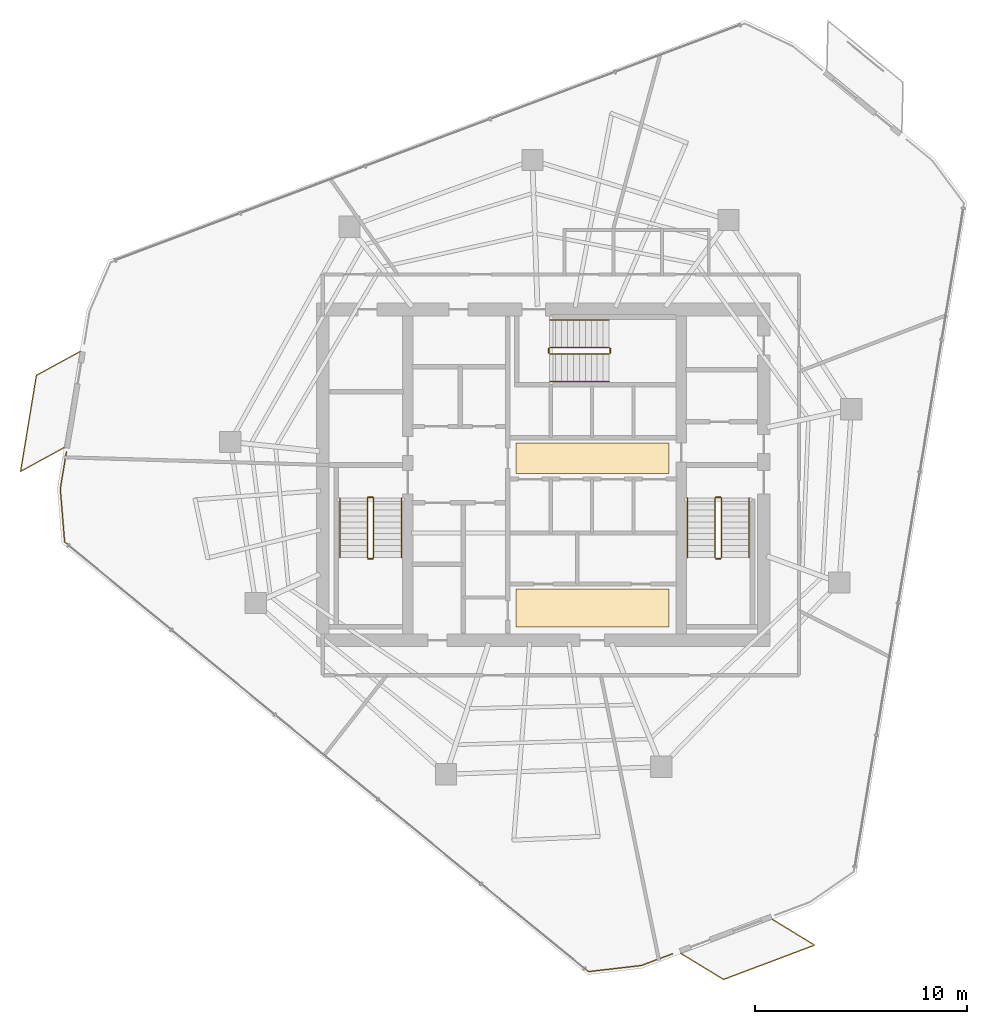
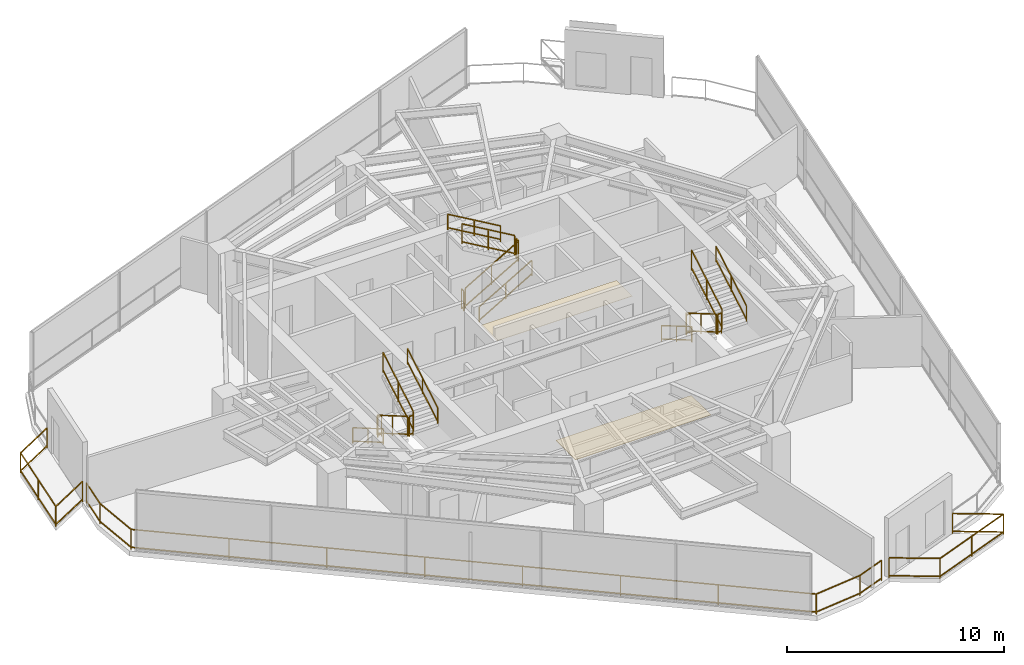
# One storey, part 18 of 19: 21 railings, 2 coverings.
"""IFC4 building model written with IfcOpenShell, lengths in metres."""

from ifc_helpers import new_model, si_unit, direction, frame, origin, origin_2d, place, context, subcontext, project, spatial, rectangle, extrude, material, layer, layer_set, type_object, element, save


model = new_model("IFC4")

# Units and contexts
model_context = context("Model", 3, precision=1e-05, world=origin(), true_north=direction((0.0, 1.0)))
body_context = subcontext(model_context, "Body", "Model", "MODEL_VIEW")
ifc_project = project(units=[si_unit("LENGTHUNIT", "METRE"), si_unit("AREAUNIT", "SQUARE_METRE"), si_unit("VOLUMEUNIT", "CUBIC_METRE"), si_unit("PLANEANGLEUNIT", "RADIAN"), si_unit("MASSUNIT", "GRAM", prefix="KILO")], contexts=[model_context])

# Site, building, storey
site_placement = place(None, origin())
site = spatial("IfcSite", under=ifc_project, at=site_placement, CompositionType="ELEMENT")
building_placement = place(site_placement, origin())
building = spatial("IfcBuilding", under=site, at=building_placement, Name="Qarnah Convention Tower", CompositionType="ELEMENT")
storey_placement = place(building_placement, frame((0.0, 0.0, 143.699951171875)))
storey = spatial("IfcBuildingStorey", under=building, at=storey_placement, Name="L38", CompositionType="ELEMENT", Elevation=143.699951171875)

# Coverings
ifc_material_1 = material(Name="Mineral fibre acoustic ceiling")
ifc_layer_1 = layer(ifc_material_1, 0.02001953125)
ifc_layer_set_1 = layer_set([ifc_layer_1], Name="Mineral fibre acoustic ceiling")
covering_type_1 = type_object("IfcCoveringType", Name="COV-CEIL-20", PredefinedType="CEILING", material=ifc_layer_set_1)
covering_1_placement = place(storey_placement, frame((39.52001953125, 27.179931640625, 2.2900390625), z_axis=(0.0, 0.0, 1.0), x_axis=(1.0, 0.0, 0.0)))
element("IfcCovering", 1, at=covering_1_placement, inside=storey, type_object=covering_type_1, Name="L38 lift lobby acoustic ceiling", PredefinedType="CEILING", context=body_context, shape_type="SweptSolid", body=[
    extrude(rectangle(XDim=7.199951171875, YDim=1.449951171875, at=origin_2d()), origin(), (0.0, 0.0, 1.0), 0.02001953125),
])
ifc_material_2 = material(Name="Porcelain stone floor tile", Category="masonry")
ifc_layer_2 = layer(ifc_material_2, 0.02001953125)
ifc_layer_set_2 = layer_set([ifc_layer_2], Name="Porcelain stone floor tile")
covering_type_2 = type_object("IfcCoveringType", Name="COV-FLOOR-20", PredefinedType="FLOORING", material=ifc_layer_set_2)
covering_2_placement = place(storey_placement, frame((39.52001953125, 20.1201171875, 0.0), z_axis=(0.0, 0.0, 1.0), x_axis=(1.0, 0.0, 0.0)))
element("IfcCovering", 2, at=covering_2_placement, inside=storey, type_object=covering_type_2, Name="L38 lift lobby porcelain stone flooring", PredefinedType="FLOORING", context=body_context, shape_type="SweptSolid", body=[
    extrude(rectangle(XDim=7.199951171875, YDim=1.800048828125, at=origin_2d()), origin(), (0.0, 0.0, 1.0), 0.02001953125),
])

# Railings
ifc_material_3 = material(Name="Black anodised aluminium", Category="aluminium")
railing_type_1 = type_object("IfcRailingType", Name="RL-EXT-GUARD-1150", PredefinedType="GUARDRAIL", material=ifc_material_3)
railing_1_placement = place(storey_placement, frame((43.284912109375, 3.80908203125, 0.0)))
element("IfcRailing", 3, at=railing_1_placement, inside=storey, type_object=railing_type_1, Name="L38 slab-edge perimeter safety guard 03", PredefinedType="GUARDRAIL", context=body_context, shape_type="SweptSolid", body=[
    extrude(rectangle(XDim=0.048095703125, YDim=0.048095703125, at=origin_2d()), frame((0.0, 0.0, 1.1259765625), z_axis=(-0.935838834934, -0.352428255152, 0.0), x_axis=(0.352428255152, -0.935838834934, 0.0)), (0.0, 0.0, 1.0), 1.557861328125),
    extrude(rectangle(XDim=0.048095703125, YDim=0.048095703125, at=origin_2d()), frame((0.0, 0.0, 0.1201171875), z_axis=(-0.935838834934, -0.352428255152, 0.0), x_axis=(0.352428255152, -0.935838834934, 0.0)), (0.0, 0.0, 1.0), 1.557861328125),
    extrude(rectangle(XDim=0.048095703125, YDim=0.048095703125, at=origin_2d()), frame((-1.4580078125, -0.549072265625, 1.1259765625), z_axis=(-0.99329985139, -0.115565588429, 0.0), x_axis=(0.115565588429, -0.99329985139, 0.0)), (0.0, 0.0, 1.0), 2.509765625),
    extrude(rectangle(XDim=0.048095703125, YDim=0.048095703125, at=origin_2d()), frame((-1.4580078125, -0.549072265625, 0.1201171875), z_axis=(-0.99329985139, -0.115565588429, 0.0), x_axis=(0.115565588429, -0.99329985139, 0.0)), (0.0, 0.0, 1.0), 2.509765625),
    extrude(rectangle(XDim=0.048095703125, YDim=0.048095703125, at=origin_2d()), frame((-3.950927734375, -0.839111328125, 1.1259765625), z_axis=(-0.773174595758, 0.634193223295, 0.0), x_axis=(-0.634193223295, -0.773174595758, 0.0)), (0.0, 0.0, 1.0), 31.96044921875),
    extrude(rectangle(XDim=0.048095703125, YDim=0.048095703125, at=origin_2d()), frame((-3.950927734375, -0.839111328125, 0.1201171875), z_axis=(-0.773174595758, 0.634193223295, 0.0), x_axis=(-0.634193223295, -0.773174595758, 0.0)), (0.0, 0.0, 1.0), 31.96044921875),
    extrude(rectangle(XDim=0.048095703125, YDim=0.048095703125, at=origin_2d()), frame((-28.661865234375, 19.429931640625, 1.1259765625), z_axis=(-0.080951717687, 0.996718024019, 0.0), x_axis=(-0.996718024019, -0.080951717687, 0.0)), (0.0, 0.0, 1.0), 2.50927734375),
    extrude(rectangle(XDim=0.048095703125, YDim=0.048095703125, at=origin_2d()), frame((-28.661865234375, 19.429931640625, 0.1201171875), z_axis=(-0.080951717687, 0.996718024019, 0.0), x_axis=(-0.996718024019, -0.080951717687, 0.0)), (0.0, 0.0, 1.0), 2.50927734375),
    extrude(rectangle(XDim=0.048095703125, YDim=0.048095703125, at=origin_2d()), frame((-28.864990234375, 21.930908203125, 1.1259765625), z_axis=(0.162788039011, 0.986661063565, 0.0), x_axis=(-0.986661063565, 0.162788039011, 0.0)), (0.0, 0.0, 1.0), 1.769775390625),
    extrude(rectangle(XDim=0.048095703125, YDim=0.048095703125, at=origin_2d()), frame((-28.864990234375, 21.930908203125, 0.1201171875), z_axis=(0.162788039011, 0.986661063565, 0.0), x_axis=(-0.986661063565, 0.162788039011, 0.0)), (0.0, 0.0, 1.0), 1.769775390625),
    extrude(rectangle(XDim=0.0419921875, YDim=0.0419921875, at=origin_2d()), origin(), (0.0, 0.0, 1.0), 1.101806640625),
    extrude(rectangle(XDim=0.0419921875, YDim=0.0419921875, at=origin_2d()), frame((-1.4580078125, -0.549072265625, 0.0)), (0.0, 0.0, 1.0), 1.101806640625),
    extrude(rectangle(XDim=0.0419921875, YDim=0.0419921875, at=origin_2d()), frame((-3.950927734375, -0.839111328125, 0.0)), (0.0, 0.0, 1.0), 1.101806640625),
    extrude(rectangle(XDim=0.0419921875, YDim=0.0419921875, at=origin_2d()), frame((-7.48095703125, 2.056396484375, 0.0)), (0.0, 0.0, 1.0), 1.101806640625),
    extrude(rectangle(XDim=0.0419921875, YDim=0.0419921875, at=origin_2d()), frame((-11.01123046875, 4.9521484375, 0.0)), (0.0, 0.0, 1.0), 1.101806640625),
    extrude(rectangle(XDim=0.0419921875, YDim=0.0419921875, at=origin_2d()), frame((-14.541259765625, 7.84765625, 0.0)), (0.0, 0.0, 1.0), 1.101806640625),
    extrude(rectangle(XDim=0.0419921875, YDim=0.0419921875, at=origin_2d()), frame((-18.071533203125, 10.7431640625, 0.0)), (0.0, 0.0, 1.0), 1.101806640625),
    extrude(rectangle(XDim=0.0419921875, YDim=0.0419921875, at=origin_2d()), frame((-21.6015625, 13.638671875, 0.0)), (0.0, 0.0, 1.0), 1.101806640625),
    extrude(rectangle(XDim=0.0419921875, YDim=0.0419921875, at=origin_2d()), frame((-25.1318359375, 16.534423828125, 0.0)), (0.0, 0.0, 1.0), 1.101806640625),
    extrude(rectangle(XDim=0.0419921875, YDim=0.0419921875, at=origin_2d()), frame((-28.661865234375, 19.429931640625, 0.0)), (0.0, 0.0, 1.0), 1.101806640625),
    extrude(rectangle(XDim=0.0419921875, YDim=0.0419921875, at=origin_2d()), frame((-28.864990234375, 21.930908203125, 0.0)), (0.0, 0.0, 1.0), 1.101806640625),
    extrude(rectangle(XDim=0.0419921875, YDim=0.0419921875, at=origin_2d()), frame((-28.576904296875, 23.677001953125, 0.0)), (0.0, 0.0, 1.0), 1.101806640625),
])
railing_2_placement = place(storey_placement, frame((14.60205078125, 27.678955078125, 0.0)))
element("IfcRailing", 4, at=railing_2_placement, inside=storey, type_object=railing_type_1, Name="L38 balcony safety guard BAL-L38-C2", PredefinedType="GUARDRAIL", context=body_context, shape_type="SweptSolid", body=[
    extrude(rectangle(XDim=0.048095703125, YDim=0.048095703125, at=origin_2d()), frame((0.0, 0.0, 1.1259765625), z_axis=(-0.877656964164, -0.479289321032, 0.0), x_axis=(0.479289321032, -0.877656964164, 0.0)), (0.0, 0.0, 1.0), 2.34716796875),
    extrude(rectangle(XDim=0.048095703125, YDim=0.048095703125, at=origin_2d()), frame((0.0, 0.0, 0.1201171875), z_axis=(-0.877656964164, -0.479289321032, 0.0), x_axis=(0.479289321032, -0.877656964164, 0.0)), (0.0, 0.0, 1.0), 2.34716796875),
    extrude(rectangle(XDim=0.048095703125, YDim=0.048095703125, at=origin_2d()), frame((-2.06005859375, -1.125, 1.1259765625), z_axis=(0.162608655886, 0.986690643024, 0.0), x_axis=(-0.986690643024, 0.162608655886, 0.0)), (0.0, 0.0, 1.0), 4.600341796875),
    extrude(rectangle(XDim=0.048095703125, YDim=0.048095703125, at=origin_2d()), frame((-2.06005859375, -1.125, 0.1201171875), z_axis=(0.162608655886, 0.986690643024, 0.0), x_axis=(-0.986690643024, 0.162608655886, 0.0)), (0.0, 0.0, 1.0), 4.600341796875),
    extrude(rectangle(XDim=0.048095703125, YDim=0.048095703125, at=origin_2d()), frame((-1.31201171875, 3.4140625, 1.1259765625), z_axis=(0.877752486063, 0.479114363395, 0.0), x_axis=(-0.479114363395, 0.877752486063, 0.0)), (0.0, 0.0, 1.0), 2.34814453125),
    extrude(rectangle(XDim=0.048095703125, YDim=0.048095703125, at=origin_2d()), frame((-1.31201171875, 3.4140625, 0.1201171875), z_axis=(0.877752486063, 0.479114363395, 0.0), x_axis=(-0.479114363395, 0.877752486063, 0.0)), (0.0, 0.0, 1.0), 2.34814453125),
    extrude(rectangle(XDim=0.0419921875, YDim=0.0419921875, at=origin_2d()), origin(), (0.0, 0.0, 1.0), 1.101806640625),
    extrude(rectangle(XDim=0.0419921875, YDim=0.0419921875, at=origin_2d()), frame((-2.06005859375, -1.125, 0.0)), (0.0, 0.0, 1.0), 1.101806640625),
    extrude(rectangle(XDim=0.0419921875, YDim=0.0419921875, at=origin_2d()), frame((-1.68603515625, 1.14453125, 0.0)), (0.0, 0.0, 1.0), 1.101806640625),
    extrude(rectangle(XDim=0.0419921875, YDim=0.0419921875, at=origin_2d()), frame((-1.31201171875, 3.4140625, 0.0)), (0.0, 0.0, 1.0), 1.101806640625),
    extrude(rectangle(XDim=0.0419921875, YDim=0.0419921875, at=origin_2d()), frame((0.7490234375, 4.5390625, 0.0)), (0.0, 0.0, 1.0), 1.101806640625),
])
railing_3_placement = place(storey_placement, frame((47.998046875, 5.43994140625, 0.0)))
element("IfcRailing", 5, at=railing_3_placement, inside=storey, type_object=railing_type_1, Name="L38 balcony safety guard BAL-L38-C3", PredefinedType="GUARDRAIL", context=body_context, shape_type="SweptSolid", body=[
    extrude(rectangle(XDim=0.048095703125, YDim=0.048095703125, at=origin_2d()), frame((0.0, 0.0, 1.1259765625), z_axis=(0.853790537229, -0.520616671398, 0.0), x_axis=(0.520616671398, 0.853790537229, 0.0)), (0.0, 0.0, 1.0), 2.34716796875),
    extrude(rectangle(XDim=0.048095703125, YDim=0.048095703125, at=origin_2d()), frame((0.0, 0.0, 0.1201171875), z_axis=(0.853790537229, -0.520616671398, 0.0), x_axis=(0.520616671398, 0.853790537229, 0.0)), (0.0, 0.0, 1.0), 2.34716796875),
    extrude(rectangle(XDim=0.048095703125, YDim=0.048095703125, at=origin_2d()), frame((2.00390625, -1.221923828125, 1.1259765625), z_axis=(-0.935819897861, -0.352478536604, 0.0), x_axis=(0.352478536604, -0.935819897861, 0.0)), (0.0, 0.0, 1.0), 4.59912109375),
    extrude(rectangle(XDim=0.048095703125, YDim=0.048095703125, at=origin_2d()), frame((2.00390625, -1.221923828125, 0.1201171875), z_axis=(-0.935819897861, -0.352478536604, 0.0), x_axis=(0.352478536604, -0.935819897861, 0.0)), (0.0, 0.0, 1.0), 4.59912109375),
    extrude(rectangle(XDim=0.048095703125, YDim=0.048095703125, at=origin_2d()), frame((-2.300048828125, -2.843017578125, 1.1259765625), z_axis=(-0.854041872456, 0.52020426766, 0.0), x_axis=(-0.52020426766, -0.854041872456, 0.0)), (0.0, 0.0, 1.0), 2.347412109375),
    extrude(rectangle(XDim=0.048095703125, YDim=0.048095703125, at=origin_2d()), frame((-2.300048828125, -2.843017578125, 0.1201171875), z_axis=(-0.854041872456, 0.52020426766, 0.0), x_axis=(-0.52020426766, -0.854041872456, 0.0)), (0.0, 0.0, 1.0), 2.347412109375),
    extrude(rectangle(XDim=0.0419921875, YDim=0.0419921875, at=origin_2d()), origin(), (0.0, 0.0, 1.0), 1.101806640625),
    extrude(rectangle(XDim=0.0419921875, YDim=0.0419921875, at=origin_2d()), frame((2.00390625, -1.221923828125, 0.0)), (0.0, 0.0, 1.0), 1.101806640625),
    extrude(rectangle(XDim=0.0419921875, YDim=0.0419921875, at=origin_2d()), frame((-0.14794921875, -2.032470703125, 0.0)), (0.0, 0.0, 1.0), 1.101806640625),
    extrude(rectangle(XDim=0.0419921875, YDim=0.0419921875, at=origin_2d()), frame((-2.300048828125, -2.843017578125, 0.0)), (0.0, 0.0, 1.0), 1.101806640625),
    extrude(rectangle(XDim=0.0419921875, YDim=0.0419921875, at=origin_2d()), frame((-4.304931640625, -1.621826171875, 0.0)), (0.0, 0.0, 1.0), 1.101806640625),
])
ifc_material_4 = material(Name="Structural steel S355JR", Category="steel")
railing_type_2 = type_object("IfcRailingType", Name="RL-STAIR-GUARD-1150", PredefinedType="GUARDRAIL", material=ifc_material_4)
railing_4_placement = place(storey_placement, frame((28.89990234375, 25.300048828125, 0.16357421875)))
element("IfcRailing", 6, at=railing_4_placement, inside=storey, type_object=railing_type_2, Name="L38 ST-1 stair guard 1", PredefinedType="GUARDRAIL", context=body_context, shape_type="SweptSolid", body=[
    extrude(rectangle(XDim=0.048095703125, YDim=0.048095703125, at=origin_2d()), frame((0.0, 0.0, 1.1259765625), z_axis=(0.0, -0.863360870873, 0.504586966384), x_axis=(1.0, 0.0, 0.0)), (0.0, 0.0, 1.0), 3.2431640625),
    extrude(rectangle(XDim=0.048095703125, YDim=0.048095703125, at=origin_2d()), frame((0.0, 0.0, 0.1201171875), z_axis=(0.0, -0.863360870873, 0.504586966384), x_axis=(1.0, 0.0, 0.0)), (0.0, 0.0, 1.0), 3.2431640625),
    extrude(rectangle(XDim=0.0419921875, YDim=0.0419921875, at=origin_2d()), origin(), (0.0, 0.0, 1.0), 1.101806640625),
    extrude(rectangle(XDim=0.0419921875, YDim=0.0419921875, at=origin_2d()), frame((0.0, -1.39990234375, 0.818359375)), (0.0, 0.0, 1.0), 1.101806640625),
    extrude(rectangle(XDim=0.0419921875, YDim=0.0419921875, at=origin_2d()), frame((0.0, -2.800048828125, 1.636474609375)), (0.0, 0.0, 1.0), 1.101806640625),
])
railing_5_placement = place(storey_placement, frame((28.949951171875, 22.449951171875, 1.800048828125)))
element("IfcRailing", 7, at=railing_5_placement, inside=storey, type_object=railing_type_2, Name="L38 ST-1 stair guard 2", PredefinedType="GUARDRAIL", context=body_context, shape_type="SweptSolid", body=[
    extrude(rectangle(XDim=0.048095703125, YDim=0.048095703125, at=origin_2d()), frame((0.0, 0.0, 1.1259765625), z_axis=(1.0, 0.0, 0.0), x_axis=(0.0, 1.0, 0.0)), (0.0, 0.0, 1.0), 0.199951171875),
    extrude(rectangle(XDim=0.048095703125, YDim=0.048095703125, at=origin_2d()), frame((0.0, 0.0, 0.1201171875), z_axis=(1.0, 0.0, 0.0), x_axis=(0.0, 1.0, 0.0)), (0.0, 0.0, 1.0), 0.199951171875),
    extrude(rectangle(XDim=0.0419921875, YDim=0.0419921875, at=origin_2d()), origin(), (0.0, 0.0, 1.0), 1.101806640625),
    extrude(rectangle(XDim=0.0419921875, YDim=0.0419921875, at=origin_2d()), frame((0.199951171875, 0.0, 0.0)), (0.0, 0.0, 1.0), 1.101806640625),
])
railing_6_placement = place(storey_placement, frame((29.199951171875, 22.5, 1.963623046875)))
element("IfcRailing", 8, at=railing_6_placement, inside=storey, type_object=railing_type_2, Name="L38 ST-1 stair guard 3", PredefinedType="GUARDRAIL", context=body_context, shape_type="SweptSolid", body=[
    extrude(rectangle(XDim=0.048095703125, YDim=0.048095703125, at=origin_2d()), frame((0.0, 0.0, 1.1259765625), z_axis=(0.0, 0.863360870873, 0.504586966384), x_axis=(-1.0, 0.0, 0.0)), (0.0, 0.0, 1.0), 3.2431640625),
    extrude(rectangle(XDim=0.048095703125, YDim=0.048095703125, at=origin_2d()), frame((0.0, 0.0, 0.1201171875), z_axis=(0.0, 0.863360870873, 0.504586966384), x_axis=(-1.0, 0.0, 0.0)), (0.0, 0.0, 1.0), 3.2431640625),
    extrude(rectangle(XDim=0.0419921875, YDim=0.0419921875, at=origin_2d()), origin(), (0.0, 0.0, 1.0), 1.101806640625),
    extrude(rectangle(XDim=0.0419921875, YDim=0.0419921875, at=origin_2d()), frame((0.0, 1.39990234375, 0.818359375)), (0.0, 0.0, 1.0), 1.101806640625),
    extrude(rectangle(XDim=0.0419921875, YDim=0.0419921875, at=origin_2d()), frame((0.0, 2.800048828125, 1.636474609375)), (0.0, 0.0, 1.0), 1.101806640625),
])
railing_7_placement = place(storey_placement, frame((28.949951171875, 25.35009765625, 0.0)))
element("IfcRailing", 9, at=railing_7_placement, inside=storey, type_object=railing_type_2, Name="L38 ST-1 stair guard 4", PredefinedType="GUARDRAIL", context=body_context, shape_type="SweptSolid", body=[
    extrude(rectangle(XDim=0.048095703125, YDim=0.048095703125, at=origin_2d()), frame((0.0, 0.0, 1.1259765625), z_axis=(1.0, 0.0, 0.0), x_axis=(0.0, 1.0, 0.0)), (0.0, 0.0, 1.0), 0.199951171875),
    extrude(rectangle(XDim=0.048095703125, YDim=0.048095703125, at=origin_2d()), frame((0.0, 0.0, 0.1201171875), z_axis=(1.0, 0.0, 0.0), x_axis=(0.0, 1.0, 0.0)), (0.0, 0.0, 1.0), 0.199951171875),
    extrude(rectangle(XDim=0.0419921875, YDim=0.0419921875, at=origin_2d()), origin(), (0.0, 0.0, 1.0), 1.101806640625),
    extrude(rectangle(XDim=0.0419921875, YDim=0.0419921875, at=origin_2d()), frame((0.199951171875, 0.0, 0.0)), (0.0, 0.0, 1.0), 1.101806640625),
])
railing_8_placement = place(storey_placement, frame((45.300048828125, 25.300048828125, 0.16357421875)))
element("IfcRailing", 10, at=railing_8_placement, inside=storey, type_object=railing_type_2, Name="L38 ST-2 stair guard 1", PredefinedType="GUARDRAIL", context=body_context, shape_type="SweptSolid", body=[
    extrude(rectangle(XDim=0.048095703125, YDim=0.048095703125, at=origin_2d()), frame((0.0, 0.0, 1.1259765625), z_axis=(0.0, -0.863360870873, 0.504586966384), x_axis=(1.0, 0.0, 0.0)), (0.0, 0.0, 1.0), 3.2431640625),
    extrude(rectangle(XDim=0.048095703125, YDim=0.048095703125, at=origin_2d()), frame((0.0, 0.0, 0.1201171875), z_axis=(0.0, -0.863360870873, 0.504586966384), x_axis=(1.0, 0.0, 0.0)), (0.0, 0.0, 1.0), 3.2431640625),
    extrude(rectangle(XDim=0.0419921875, YDim=0.0419921875, at=origin_2d()), origin(), (0.0, 0.0, 1.0), 1.101806640625),
    extrude(rectangle(XDim=0.0419921875, YDim=0.0419921875, at=origin_2d()), frame((0.0, -1.39990234375, 0.818359375)), (0.0, 0.0, 1.0), 1.101806640625),
    extrude(rectangle(XDim=0.0419921875, YDim=0.0419921875, at=origin_2d()), frame((0.0, -2.800048828125, 1.636474609375)), (0.0, 0.0, 1.0), 1.101806640625),
])
railing_9_placement = place(storey_placement, frame((45.35009765625, 22.449951171875, 1.800048828125)))
element("IfcRailing", 11, at=railing_9_placement, inside=storey, type_object=railing_type_2, Name="L38 ST-2 stair guard 2", PredefinedType="GUARDRAIL", context=body_context, shape_type="SweptSolid", body=[
    extrude(rectangle(XDim=0.048095703125, YDim=0.048095703125, at=origin_2d()), frame((0.0, 0.0, 1.1259765625), z_axis=(1.0, 0.0, 0.0), x_axis=(0.0, 1.0, 0.0)), (0.0, 0.0, 1.0), 0.199951171875),
    extrude(rectangle(XDim=0.048095703125, YDim=0.048095703125, at=origin_2d()), frame((0.0, 0.0, 0.1201171875), z_axis=(1.0, 0.0, 0.0), x_axis=(0.0, 1.0, 0.0)), (0.0, 0.0, 1.0), 0.199951171875),
    extrude(rectangle(XDim=0.0419921875, YDim=0.0419921875, at=origin_2d()), origin(), (0.0, 0.0, 1.0), 1.101806640625),
    extrude(rectangle(XDim=0.0419921875, YDim=0.0419921875, at=origin_2d()), frame((0.199951171875, 0.0, 0.0)), (0.0, 0.0, 1.0), 1.101806640625),
])
railing_10_placement = place(storey_placement, frame((45.60009765625, 22.5, 1.963623046875)))
element("IfcRailing", 12, at=railing_10_placement, inside=storey, type_object=railing_type_2, Name="L38 ST-2 stair guard 3", PredefinedType="GUARDRAIL", context=body_context, shape_type="SweptSolid", body=[
    extrude(rectangle(XDim=0.048095703125, YDim=0.048095703125, at=origin_2d()), frame((0.0, 0.0, 1.1259765625), z_axis=(0.0, 0.863360870873, 0.504586966384), x_axis=(-1.0, 0.0, 0.0)), (0.0, 0.0, 1.0), 3.2431640625),
    extrude(rectangle(XDim=0.048095703125, YDim=0.048095703125, at=origin_2d()), frame((0.0, 0.0, 0.1201171875), z_axis=(0.0, 0.863360870873, 0.504586966384), x_axis=(-1.0, 0.0, 0.0)), (0.0, 0.0, 1.0), 3.2431640625),
    extrude(rectangle(XDim=0.0419921875, YDim=0.0419921875, at=origin_2d()), origin(), (0.0, 0.0, 1.0), 1.101806640625),
    extrude(rectangle(XDim=0.0419921875, YDim=0.0419921875, at=origin_2d()), frame((0.0, 1.39990234375, 0.818359375)), (0.0, 0.0, 1.0), 1.101806640625),
    extrude(rectangle(XDim=0.0419921875, YDim=0.0419921875, at=origin_2d()), frame((0.0, 2.800048828125, 1.636474609375)), (0.0, 0.0, 1.0), 1.101806640625),
])
railing_11_placement = place(storey_placement, frame((45.35009765625, 25.35009765625, 0.0)))
element("IfcRailing", 13, at=railing_11_placement, inside=storey, type_object=railing_type_2, Name="L38 ST-2 stair guard 4", PredefinedType="GUARDRAIL", context=body_context, shape_type="SweptSolid", body=[
    extrude(rectangle(XDim=0.048095703125, YDim=0.048095703125, at=origin_2d()), frame((0.0, 0.0, 1.1259765625), z_axis=(1.0, 0.0, 0.0), x_axis=(0.0, 1.0, 0.0)), (0.0, 0.0, 1.0), 0.199951171875),
    extrude(rectangle(XDim=0.048095703125, YDim=0.048095703125, at=origin_2d()), frame((0.0, 0.0, 0.1201171875), z_axis=(1.0, 0.0, 0.0), x_axis=(0.0, 1.0, 0.0)), (0.0, 0.0, 1.0), 0.199951171875),
    extrude(rectangle(XDim=0.0419921875, YDim=0.0419921875, at=origin_2d()), origin(), (0.0, 0.0, 1.0), 1.101806640625),
    extrude(rectangle(XDim=0.0419921875, YDim=0.0419921875, at=origin_2d()), frame((0.199951171875, 0.0, 0.0)), (0.0, 0.0, 1.0), 1.101806640625),
])
railing_12_placement = place(storey_placement, frame((37.5, 32.10009765625, 0.16357421875)))
element("IfcRailing", 14, at=railing_12_placement, inside=storey, type_object=railing_type_2, Name="L38 ST-3 stair guard 1", PredefinedType="GUARDRAIL", context=body_context, shape_type="SweptSolid", body=[
    extrude(rectangle(XDim=0.048095703125, YDim=0.048095703125, at=origin_2d()), frame((0.0, 0.0, 1.1259765625), z_axis=(0.863360870873, 0.0, 0.504586966384), x_axis=(0.0, 1.0, 0.0)), (0.0, 0.0, 1.0), 3.2431640625),
    extrude(rectangle(XDim=0.048095703125, YDim=0.048095703125, at=origin_2d()), frame((0.0, 0.0, 0.1201171875), z_axis=(0.863360870873, 0.0, 0.504586966384), x_axis=(0.0, 1.0, 0.0)), (0.0, 0.0, 1.0), 3.2431640625),
    extrude(rectangle(XDim=0.0419921875, YDim=0.0419921875, at=origin_2d()), origin(), (0.0, 0.0, 1.0), 1.101806640625),
    extrude(rectangle(XDim=0.0419921875, YDim=0.0419921875, at=origin_2d()), frame((1.39990234375, 0.0, 0.818359375)), (0.0, 0.0, 1.0), 1.101806640625),
    extrude(rectangle(XDim=0.0419921875, YDim=0.0419921875, at=origin_2d()), frame((2.800048828125, 0.0, 1.636474609375)), (0.0, 0.0, 1.0), 1.101806640625),
])
railing_13_placement = place(storey_placement, frame((40.35009765625, 32.14990234375, 1.800048828125)))
element("IfcRailing", 15, at=railing_13_placement, inside=storey, type_object=railing_type_2, Name="L38 ST-3 stair guard 2", PredefinedType="GUARDRAIL", context=body_context, shape_type="SweptSolid", body=[
    extrude(rectangle(XDim=0.048095703125, YDim=0.048095703125, at=origin_2d()), frame((0.0, 0.0, 1.1259765625), z_axis=(0.0, 1.0, 0.0), x_axis=(-1.0, 0.0, 0.0)), (0.0, 0.0, 1.0), 0.2001953125),
    extrude(rectangle(XDim=0.048095703125, YDim=0.048095703125, at=origin_2d()), frame((0.0, 0.0, 0.1201171875), z_axis=(0.0, 1.0, 0.0), x_axis=(-1.0, 0.0, 0.0)), (0.0, 0.0, 1.0), 0.2001953125),
    extrude(rectangle(XDim=0.0419921875, YDim=0.0419921875, at=origin_2d()), origin(), (0.0, 0.0, 1.0), 1.101806640625),
    extrude(rectangle(XDim=0.0419921875, YDim=0.0419921875, at=origin_2d()), frame((0.0, 0.2001953125, 0.0)), (0.0, 0.0, 1.0), 1.101806640625),
])
railing_14_placement = place(storey_placement, frame((40.300048828125, 32.39990234375, 1.963623046875)))
element("IfcRailing", 16, at=railing_14_placement, inside=storey, type_object=railing_type_2, Name="L38 ST-3 stair guard 3", PredefinedType="GUARDRAIL", context=body_context, shape_type="SweptSolid", body=[
    extrude(rectangle(XDim=0.048095703125, YDim=0.048095703125, at=origin_2d()), frame((0.0, 0.0, 1.1259765625), z_axis=(-0.863360870873, 0.0, 0.504586966384), x_axis=(0.0, -1.0, 0.0)), (0.0, 0.0, 1.0), 3.2431640625),
    extrude(rectangle(XDim=0.048095703125, YDim=0.048095703125, at=origin_2d()), frame((0.0, 0.0, 0.1201171875), z_axis=(-0.863360870873, 0.0, 0.504586966384), x_axis=(0.0, -1.0, 0.0)), (0.0, 0.0, 1.0), 3.2431640625),
    extrude(rectangle(XDim=0.0419921875, YDim=0.0419921875, at=origin_2d()), origin(), (0.0, 0.0, 1.0), 1.101806640625),
    extrude(rectangle(XDim=0.0419921875, YDim=0.0419921875, at=origin_2d()), frame((-1.39990234375, 0.0, 0.818359375)), (0.0, 0.0, 1.0), 1.101806640625),
    extrude(rectangle(XDim=0.0419921875, YDim=0.0419921875, at=origin_2d()), frame((-2.800048828125, 0.0, 1.636474609375)), (0.0, 0.0, 1.0), 1.101806640625),
])
railing_15_placement = place(storey_placement, frame((37.449951171875, 32.14990234375, 0.0)))
element("IfcRailing", 17, at=railing_15_placement, inside=storey, type_object=railing_type_2, Name="L38 ST-3 stair guard 4", PredefinedType="GUARDRAIL", context=body_context, shape_type="SweptSolid", body=[
    extrude(rectangle(XDim=0.048095703125, YDim=0.048095703125, at=origin_2d()), frame((0.0, 0.0, 1.1259765625), z_axis=(0.0, 1.0, 0.0), x_axis=(-1.0, 0.0, 0.0)), (0.0, 0.0, 1.0), 0.2001953125),
    extrude(rectangle(XDim=0.048095703125, YDim=0.048095703125, at=origin_2d()), frame((0.0, 0.0, 0.1201171875), z_axis=(0.0, 1.0, 0.0), x_axis=(-1.0, 0.0, 0.0)), (0.0, 0.0, 1.0), 0.2001953125),
    extrude(rectangle(XDim=0.0419921875, YDim=0.0419921875, at=origin_2d()), origin(), (0.0, 0.0, 1.0), 1.101806640625),
    extrude(rectangle(XDim=0.0419921875, YDim=0.0419921875, at=origin_2d()), frame((0.0, 0.2001953125, 0.0)), (0.0, 0.0, 1.0), 1.101806640625),
])
railing_type_3 = type_object("IfcRailingType", Name="RL-STAIR-HAND-900", PredefinedType="HANDRAIL", material=ifc_material_4)
railing_16_placement = place(storey_placement, frame((27.60009765625, 25.300048828125, 0.16357421875)))
element("IfcRailing", 18, at=railing_16_placement, inside=storey, type_object=railing_type_3, Name="L38 ST-1 stair handrail 1", PredefinedType="HANDRAIL", context=body_context, shape_type="SweptSolid", body=[
    extrude(rectangle(XDim=0.048095703125, YDim=0.048095703125, at=origin_2d()), frame((0.0, 0.0, 0.8759765625), z_axis=(0.0, -0.863360870873, 0.504586966384), x_axis=(1.0, 0.0, 0.0)), (0.0, 0.0, 1.0), 3.2431640625),
    extrude(rectangle(XDim=0.048095703125, YDim=0.048095703125, at=origin_2d()), frame((0.0, 0.0, 0.1201171875), z_axis=(0.0, -0.863360870873, 0.504586966384), x_axis=(1.0, 0.0, 0.0)), (0.0, 0.0, 1.0), 3.2431640625),
    extrude(rectangle(XDim=0.0419921875, YDim=0.0419921875, at=origin_2d()), origin(), (0.0, 0.0, 1.0), 0.851806640625),
    extrude(rectangle(XDim=0.0419921875, YDim=0.0419921875, at=origin_2d()), frame((0.0, -1.39990234375, 0.818359375)), (0.0, 0.0, 1.0), 0.851806640625),
    extrude(rectangle(XDim=0.0419921875, YDim=0.0419921875, at=origin_2d()), frame((0.0, -2.800048828125, 1.636474609375)), (0.0, 0.0, 1.0), 0.851806640625),
])
railing_17_placement = place(storey_placement, frame((30.5, 22.5, 1.963623046875)))
element("IfcRailing", 19, at=railing_17_placement, inside=storey, type_object=railing_type_3, Name="L38 ST-1 stair handrail 2", PredefinedType="HANDRAIL", context=body_context, shape_type="SweptSolid", body=[
    extrude(rectangle(XDim=0.048095703125, YDim=0.048095703125, at=origin_2d()), frame((0.0, 0.0, 0.8759765625), z_axis=(0.0, 0.863360870873, 0.504586966384), x_axis=(-1.0, 0.0, 0.0)), (0.0, 0.0, 1.0), 3.2431640625),
    extrude(rectangle(XDim=0.048095703125, YDim=0.048095703125, at=origin_2d()), frame((0.0, 0.0, 0.1201171875), z_axis=(0.0, 0.863360870873, 0.504586966384), x_axis=(-1.0, 0.0, 0.0)), (0.0, 0.0, 1.0), 3.2431640625),
    extrude(rectangle(XDim=0.0419921875, YDim=0.0419921875, at=origin_2d()), origin(), (0.0, 0.0, 1.0), 0.851806640625),
    extrude(rectangle(XDim=0.0419921875, YDim=0.0419921875, at=origin_2d()), frame((0.0, 1.39990234375, 0.818359375)), (0.0, 0.0, 1.0), 0.851806640625),
    extrude(rectangle(XDim=0.0419921875, YDim=0.0419921875, at=origin_2d()), frame((0.0, 2.800048828125, 1.636474609375)), (0.0, 0.0, 1.0), 0.851806640625),
])
railing_18_placement = place(storey_placement, frame((44.0, 25.300048828125, 0.16357421875)))
element("IfcRailing", 20, at=railing_18_placement, inside=storey, type_object=railing_type_3, Name="L38 ST-2 stair handrail 1", PredefinedType="HANDRAIL", context=body_context, shape_type="SweptSolid", body=[
    extrude(rectangle(XDim=0.048095703125, YDim=0.048095703125, at=origin_2d()), frame((0.0, 0.0, 0.8759765625), z_axis=(0.0, -0.863360870873, 0.504586966384), x_axis=(1.0, 0.0, 0.0)), (0.0, 0.0, 1.0), 3.2431640625),
    extrude(rectangle(XDim=0.048095703125, YDim=0.048095703125, at=origin_2d()), frame((0.0, 0.0, 0.1201171875), z_axis=(0.0, -0.863360870873, 0.504586966384), x_axis=(1.0, 0.0, 0.0)), (0.0, 0.0, 1.0), 3.2431640625),
    extrude(rectangle(XDim=0.0419921875, YDim=0.0419921875, at=origin_2d()), origin(), (0.0, 0.0, 1.0), 0.851806640625),
    extrude(rectangle(XDim=0.0419921875, YDim=0.0419921875, at=origin_2d()), frame((0.0, -1.39990234375, 0.818359375)), (0.0, 0.0, 1.0), 0.851806640625),
    extrude(rectangle(XDim=0.0419921875, YDim=0.0419921875, at=origin_2d()), frame((0.0, -2.800048828125, 1.636474609375)), (0.0, 0.0, 1.0), 0.851806640625),
])
railing_19_placement = place(storey_placement, frame((46.89990234375, 22.5, 1.963623046875)))
element("IfcRailing", 21, at=railing_19_placement, inside=storey, type_object=railing_type_3, Name="L38 ST-2 stair handrail 2", PredefinedType="HANDRAIL", context=body_context, shape_type="SweptSolid", body=[
    extrude(rectangle(XDim=0.048095703125, YDim=0.048095703125, at=origin_2d()), frame((0.0, 0.0, 0.8759765625), z_axis=(0.0, 0.863360870873, 0.504586966384), x_axis=(-1.0, 0.0, 0.0)), (0.0, 0.0, 1.0), 3.2431640625),
    extrude(rectangle(XDim=0.048095703125, YDim=0.048095703125, at=origin_2d()), frame((0.0, 0.0, 0.1201171875), z_axis=(0.0, 0.863360870873, 0.504586966384), x_axis=(-1.0, 0.0, 0.0)), (0.0, 0.0, 1.0), 3.2431640625),
    extrude(rectangle(XDim=0.0419921875, YDim=0.0419921875, at=origin_2d()), origin(), (0.0, 0.0, 1.0), 0.851806640625),
    extrude(rectangle(XDim=0.0419921875, YDim=0.0419921875, at=origin_2d()), frame((0.0, 1.39990234375, 0.818359375)), (0.0, 0.0, 1.0), 0.851806640625),
    extrude(rectangle(XDim=0.0419921875, YDim=0.0419921875, at=origin_2d()), frame((0.0, 2.800048828125, 1.636474609375)), (0.0, 0.0, 1.0), 0.851806640625),
])
railing_20_placement = place(storey_placement, frame((37.5, 30.800048828125, 0.16357421875)))
element("IfcRailing", 22, at=railing_20_placement, inside=storey, type_object=railing_type_3, Name="L38 ST-3 stair handrail 1", PredefinedType="HANDRAIL", context=body_context, shape_type="SweptSolid", body=[
    extrude(rectangle(XDim=0.048095703125, YDim=0.048095703125, at=origin_2d()), frame((0.0, 0.0, 0.8759765625), z_axis=(0.863360870873, 0.0, 0.504586966384), x_axis=(0.0, 1.0, 0.0)), (0.0, 0.0, 1.0), 3.2431640625),
    extrude(rectangle(XDim=0.048095703125, YDim=0.048095703125, at=origin_2d()), frame((0.0, 0.0, 0.1201171875), z_axis=(0.863360870873, 0.0, 0.504586966384), x_axis=(0.0, 1.0, 0.0)), (0.0, 0.0, 1.0), 3.2431640625),
    extrude(rectangle(XDim=0.0419921875, YDim=0.0419921875, at=origin_2d()), origin(), (0.0, 0.0, 1.0), 0.851806640625),
    extrude(rectangle(XDim=0.0419921875, YDim=0.0419921875, at=origin_2d()), frame((1.39990234375, 0.0, 0.818359375)), (0.0, 0.0, 1.0), 0.851806640625),
    extrude(rectangle(XDim=0.0419921875, YDim=0.0419921875, at=origin_2d()), frame((2.800048828125, 0.0, 1.636474609375)), (0.0, 0.0, 1.0), 0.851806640625),
])
railing_21_placement = place(storey_placement, frame((40.300048828125, 33.699951171875, 1.963623046875)))
element("IfcRailing", 23, at=railing_21_placement, inside=storey, type_object=railing_type_3, Name="L38 ST-3 stair handrail 2", PredefinedType="HANDRAIL", context=body_context, shape_type="SweptSolid", body=[
    extrude(rectangle(XDim=0.048095703125, YDim=0.048095703125, at=origin_2d()), frame((0.0, 0.0, 0.8759765625), z_axis=(-0.863360870873, 0.0, 0.504586966384), x_axis=(0.0, -1.0, 0.0)), (0.0, 0.0, 1.0), 3.2431640625),
    extrude(rectangle(XDim=0.048095703125, YDim=0.048095703125, at=origin_2d()), frame((0.0, 0.0, 0.1201171875), z_axis=(-0.863360870873, 0.0, 0.504586966384), x_axis=(0.0, -1.0, 0.0)), (0.0, 0.0, 1.0), 3.2431640625),
    extrude(rectangle(XDim=0.0419921875, YDim=0.0419921875, at=origin_2d()), origin(), (0.0, 0.0, 1.0), 0.851806640625),
    extrude(rectangle(XDim=0.0419921875, YDim=0.0419921875, at=origin_2d()), frame((-1.39990234375, 0.0, 0.818359375)), (0.0, 0.0, 1.0), 0.851806640625),
    extrude(rectangle(XDim=0.0419921875, YDim=0.0419921875, at=origin_2d()), frame((-2.800048828125, 0.0, 1.636474609375)), (0.0, 0.0, 1.0), 0.851806640625),
])

save(model, "model.ifc")
